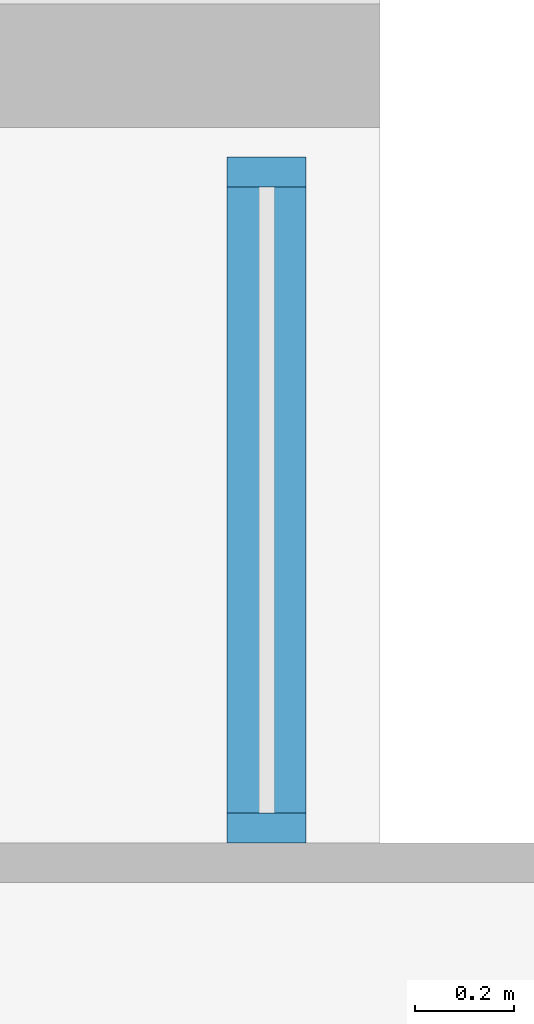
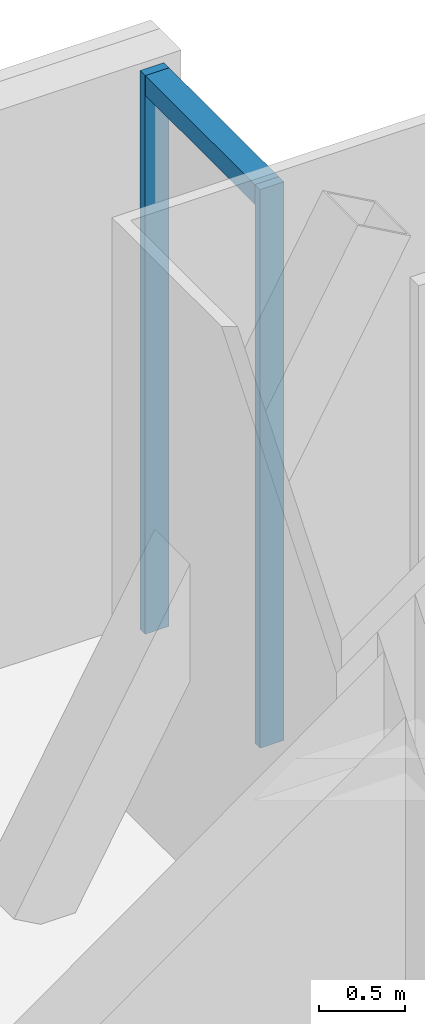
# One storey, part 14 of 22: 3 members, 1 element without a shape of its own.
"""IFC4 building model written with IfcOpenShell, lengths in metres."""

from ifc_helpers import new_model, si_unit, direction, frame, origin, origin_2d, place, context, subcontext, project, spatial, rectangle, extrude, material, material_profile, profile_set, type_object, element, aggregate, save


model = new_model("IFC4")

# Units and contexts
model_context = context("Model", 3, precision=1e-05, world=origin(), true_north=direction((0.0, 1.0)))
body_context = subcontext(model_context, "Body", "Model", "MODEL_VIEW")
ifc_project = project(units=[si_unit("LENGTHUNIT", "METRE"), si_unit("AREAUNIT", "SQUARE_METRE"), si_unit("VOLUMEUNIT", "CUBIC_METRE"), si_unit("PLANEANGLEUNIT", "RADIAN"), si_unit("MASSUNIT", "GRAM", prefix="KILO")], contexts=[model_context])

# Site, building, storey
site_placement = place(None, origin())
site = spatial("IfcSite", under=ifc_project, at=site_placement, CompositionType="ELEMENT")
building_placement = place(site_placement, origin())
building = spatial("IfcBuilding", under=site, at=building_placement, Name="Bicima Exchange Tower", CompositionType="ELEMENT")
storey_placement = place(building_placement, frame((0.0, 0.0, 148.60009765625)))
storey = spatial("IfcBuildingStorey", under=building, at=storey_placement, Name="L32", CompositionType="ELEMENT", Elevation=148.60009765625)

# Curtain wall, members
ifc_material = material(Name="Anodised bronze aluminium", Category="aluminium")
curtain_wall_type = type_object("IfcCurtainWallType", Name="Front glass wall", PredefinedType="NOTDEFINED", material=ifc_material)
curtain_wall_placement = place(storey_placement, origin())
curtain_wall = element("IfcCurtainWall", 1, at=curtain_wall_placement, inside=storey, type_object=curtain_wall_type, Name="Front glass wall L32 run 20", PredefinedType="NOTDEFINED")
ifc_material_profile_1 = material_profile(ifc_material, rectangle(XDim=0.159912109375, YDim=0.06005859375, at=origin_2d()))
ifc_profile_set_1 = profile_set([ifc_material_profile_1], Name="Anodised bronze aluminium")
member_type_1 = type_object("IfcMemberType", Name="Front glass wall mullion 60 x 160", PredefinedType="MULLION", material=ifc_profile_set_1)
member_1_placement = place(storey_placement, frame((32.77001953125, -1.669921875, 0.0), z_axis=(0.0, 0.0, 1.0), x_axis=(-1.0, 0.0, 0.0)))
member_1 = element("IfcMember", 2, at=member_1_placement, type_object=member_type_1, Name="Front glass wall mullion 1", PredefinedType="MULLION", context=body_context, shape_type="SweptSolid", body=[
    extrude(rectangle(XDim=0.159912109375, YDim=0.06005859375, at=origin_2d()), origin(), (0.0, 0.0, 1.0), 3.949951171875),
])
member_2_placement = place(storey_placement, frame((32.77001953125, -0.340087890625, 0.0), z_axis=(0.0, 0.0, 1.0), x_axis=(-1.0, 0.0, 0.0)))
member_2 = element("IfcMember", 3, at=member_2_placement, type_object=member_type_1, Name="Front glass wall mullion 2", PredefinedType="MULLION", context=body_context, shape_type="SweptSolid", body=[
    extrude(rectangle(XDim=0.159912109375, YDim=0.06005859375, at=origin_2d()), origin(), (0.0, 0.0, 1.0), 3.949951171875),
])
ifc_material_profile_2 = material_profile(ifc_material, rectangle(XDim=0.159912109375, YDim=0.139892578125, at=origin_2d()))
ifc_profile_set_2 = profile_set([ifc_material_profile_2], Name="Anodised bronze aluminium")
member_type_2 = type_object("IfcMemberType", Name="Front glass wall transom 140 x 160", PredefinedType="USERDEFINED", material=ifc_profile_set_2)
member_3_placement = place(storey_placement, frame((32.77001953125, -1.639892578125, 3.8798828125), z_axis=(0.0, 1.0, 0.0), x_axis=(-1.0, 0.0, 0.0)))
member_3 = element("IfcMember", 4, at=member_3_placement, type_object=member_type_2, Name="Front glass wall transom 1.1", ObjectType="TRANSOM", PredefinedType="USERDEFINED", context=body_context, shape_type="SweptSolid", body=[
    extrude(rectangle(XDim=0.159912109375, YDim=0.139892578125, at=origin_2d()), origin(), (0.0, 0.0, 1.0), 1.269775390625),
])
aggregate(curtain_wall, [member_1, member_2, member_3])

save(model, "model.ifc")
